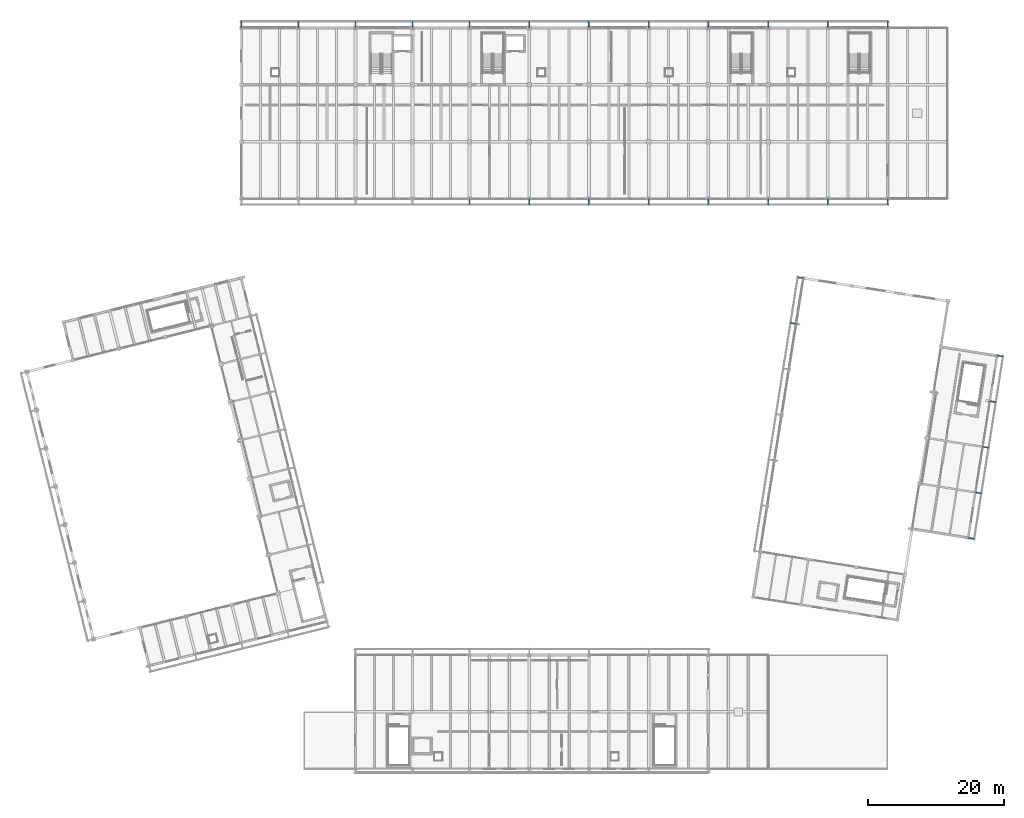
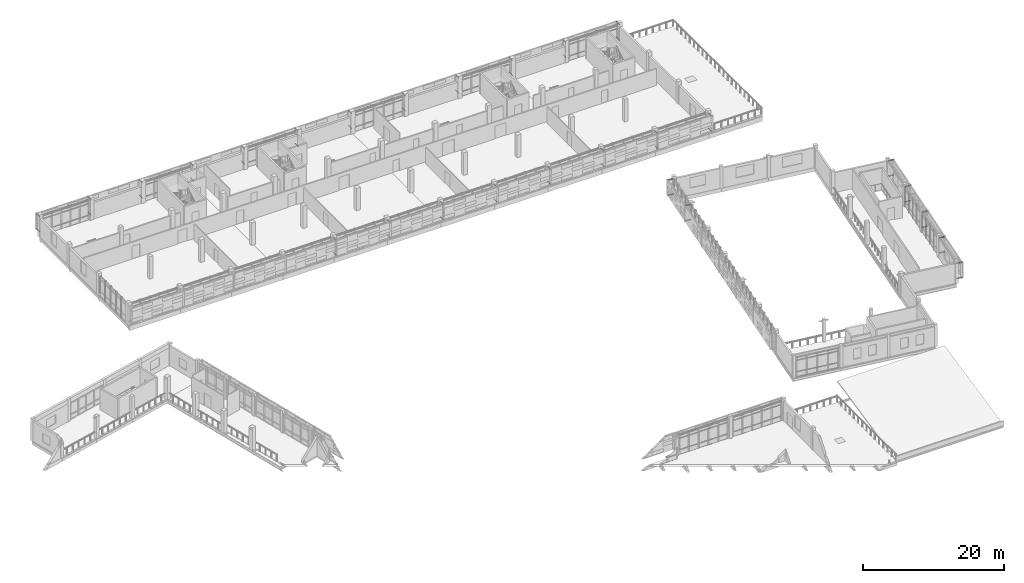
# One storey, part 81 of 117: 54 members.
"""IFC4 building model written with IfcOpenShell, lengths in metres."""

from ifc_helpers import new_model, si_unit, direction, frame, origin, origin_2d, place, context, subcontext, project, spatial, hollow_circle, extrude, material, material_profile, profile_set, type_object, element, save


model = new_model("IFC4")

# Units and contexts
model_context = context("Model", 3, precision=1e-05, world=origin(), true_north=direction((0.0, 1.0)))
body_context = subcontext(model_context, "Body", "Model", "MODEL_VIEW")
ifc_project = project(units=[si_unit("LENGTHUNIT", "METRE"), si_unit("AREAUNIT", "SQUARE_METRE"), si_unit("VOLUMEUNIT", "CUBIC_METRE"), si_unit("PLANEANGLEUNIT", "RADIAN"), si_unit("MASSUNIT", "GRAM", prefix="KILO")], contexts=[model_context])

# Site, building, storey
site_placement = place(None, origin())
site = spatial("IfcSite", under=ifc_project, at=site_placement, CompositionType="ELEMENT")
building_placement = place(site_placement, origin())
building = spatial("IfcBuilding", under=site, at=building_placement, Name="Cinderway Yard Community Centre", CompositionType="ELEMENT")
storey_placement = place(building_placement, frame((0.0, 0.0, 9.0)))
storey = spatial("IfcBuildingStorey", under=building, at=storey_placement, Name="L02", CompositionType="ELEMENT", Elevation=9.0)

# Members
ifc_material = material(Name="Steel S355", Category="steel")
ifc_material_profile = material_profile(ifc_material, hollow_circle(Radius=0.06982421875, WallThickness=0.00634765625, at=origin_2d()), Name="Steel S355")
ifc_profile_set = profile_set([ifc_material_profile], Name="Steel S355")
member_type = type_object("IfcMemberType", Name="STR-MEM-STRUT-CHS140", PredefinedType="STRUT", material=ifc_profile_set)
for number, where, z_axis, x_axis, name in (
    (1, (41.60009765625, 115.199951171875, 0.7099609375), (0.0, 1.0, 0.0), (-1.0, 0.0, 0.0), "Screen outrigger strut 0053"),
    (2, (41.60009765625, 115.199951171875, 3.340087890625), (0.0, 1.0, 0.0), (-1.0, 0.0, 0.0), "Screen outrigger strut 0054"),
    (3, (50.0, 115.199951171875, 0.7099609375), (0.0, 1.0, 0.0), (-1.0, 0.0, 0.0), "Screen outrigger strut 0057"),
    (4, (50.0, 115.199951171875, 3.340087890625), (0.0, 1.0, 0.0), (-1.0, 0.0, 0.0), "Screen outrigger strut 0058"),
    (5, (58.39990234375, 115.199951171875, 0.7099609375), (0.0, 1.0, 0.0), (-1.0, 0.0, 0.0), "Screen outrigger strut 0061"),
    (6, (58.39990234375, 115.199951171875, 3.340087890625), (0.0, 1.0, 0.0), (-1.0, 0.0, 0.0), "Screen outrigger strut 0062"),
    (7, (66.800048828125, 115.199951171875, 0.7099609375), (0.0, 1.0, 0.0), (-1.0, 0.0, 0.0), "Screen outrigger strut 0065"),
    (8, (66.800048828125, 115.199951171875, 3.340087890625), (0.0, 1.0, 0.0), (-1.0, 0.0, 0.0), "Screen outrigger strut 0066"),
    (9, (75.199951171875, 115.199951171875, 0.7099609375), (0.0, 1.0, 0.0), (-1.0, 0.0, 0.0), "Screen outrigger strut 0069"),
    (10, (75.199951171875, 115.199951171875, 3.340087890625), (0.0, 1.0, 0.0), (-1.0, 0.0, 0.0), "Screen outrigger strut 0070"),
    (11, (84.0, 115.199951171875, 0.7099609375), (0.0, 1.0, 0.0), (-1.0, 0.0, 0.0), "Screen outrigger strut 0073"),
    (12, (84.0, 115.199951171875, 3.340087890625), (0.0, 1.0, 0.0), (-1.0, 0.0, 0.0), "Screen outrigger strut 0074"),
    (13, (92.800048828125, 115.199951171875, 0.7099609375), (0.0, 1.0, 0.0), (-1.0, 0.0, 0.0), "Screen outrigger strut 0077"),
    (14, (92.800048828125, 115.199951171875, 3.340087890625), (0.0, 1.0, 0.0), (-1.0, 0.0, 0.0), "Screen outrigger strut 0078"),
    (15, (101.60009765625, 115.199951171875, 0.7099609375), (0.0, 1.0, 0.0), (-1.0, 0.0, 0.0), "Screen outrigger strut 0081"),
    (16, (101.60009765625, 115.199951171875, 3.340087890625), (0.0, 1.0, 0.0), (-1.0, 0.0, 0.0), "Screen outrigger strut 0082"),
    (17, (110.39990234375, 115.199951171875, 0.7099609375), (0.0, 1.0, 0.0), (-1.0, 0.0, 0.0), "Screen outrigger strut 0085"),
    (18, (110.39990234375, 115.199951171875, 3.340087890625), (0.0, 1.0, 0.0), (-1.0, 0.0, 0.0), "Screen outrigger strut 0086"),
    (19, (119.199951171875, 115.199951171875, 0.7099609375), (0.0, 1.0, 0.0), (-1.0, 0.0, 0.0), "Screen outrigger strut 0089"),
    (20, (119.199951171875, 115.199951171875, 3.340087890625), (0.0, 1.0, 0.0), (-1.0, 0.0, 0.0), "Screen outrigger strut 0090"),
    (21, (128.0, 115.199951171875, 0.7099609375), (0.0, 1.0, 0.0), (-1.0, 0.0, 0.0), "Screen outrigger strut 0093"),
    (22, (128.0, 115.199951171875, 3.340087890625), (0.0, 1.0, 0.0), (-1.0, 0.0, 0.0), "Screen outrigger strut 0094"),
    (23, (136.800048828125, 115.199951171875, 0.7099609375), (0.0, 1.0, 0.0), (-1.0, 0.0, 0.0), "Screen outrigger strut 0097"),
    (24, (136.800048828125, 115.199951171875, 3.340087890625), (0.0, 1.0, 0.0), (-1.0, 0.0, 0.0), "Screen outrigger strut 0098"),
):
    element("IfcMember", number, at=place(storey_placement, frame(where, z_axis=z_axis, x_axis=x_axis)), inside=storey, type_object=member_type, Name=name, PredefinedType="STRUT", context=body_context, shape_type="SweptSolid", body=[
        extrude(hollow_circle(Radius=0.06982421875, WallThickness=0.00634765625, at=origin_2d()), origin(), (0.0, 0.0, 1.0), 0.949951171875),
    ])
for number, where, z_axis, x_axis, name in (
    (25, (75.199951171875, 90.0, 0.7099609375), (0.0, -1.0, 0.0), (1.0, 0.0, 0.0), "Screen outrigger strut 0241"),
    (26, (75.199951171875, 90.0, 3.340087890625), (0.0, -1.0, 0.0), (1.0, 0.0, 0.0), "Screen outrigger strut 0242"),
    (27, (84.0, 90.0, 0.7099609375), (0.0, -1.0, 0.0), (1.0, 0.0, 0.0), "Screen outrigger strut 0245"),
    (28, (84.0, 90.0, 3.340087890625), (0.0, -1.0, 0.0), (1.0, 0.0, 0.0), "Screen outrigger strut 0246"),
    (29, (92.800048828125, 90.0, 0.7099609375), (0.0, -1.0, 0.0), (1.0, 0.0, 0.0), "Screen outrigger strut 0249"),
    (30, (92.800048828125, 90.0, 3.340087890625), (0.0, -1.0, 0.0), (1.0, 0.0, 0.0), "Screen outrigger strut 0250"),
    (31, (101.60009765625, 90.0, 0.7099609375), (0.0, -1.0, 0.0), (1.0, 0.0, 0.0), "Screen outrigger strut 0253"),
    (32, (101.60009765625, 90.0, 3.340087890625), (0.0, -1.0, 0.0), (1.0, 0.0, 0.0), "Screen outrigger strut 0254"),
    (33, (110.39990234375, 90.0, 0.7099609375), (0.0, -1.0, 0.0), (1.0, 0.0, 0.0), "Screen outrigger strut 0257"),
    (34, (110.39990234375, 90.0, 3.340087890625), (0.0, -1.0, 0.0), (1.0, 0.0, 0.0), "Screen outrigger strut 0258"),
    (35, (119.199951171875, 90.0, 0.7099609375), (0.0, -1.0, 0.0), (1.0, 0.0, 0.0), "Screen outrigger strut 0261"),
    (36, (119.199951171875, 90.0, 3.340087890625), (0.0, -1.0, 0.0), (1.0, 0.0, 0.0), "Screen outrigger strut 0262"),
    (37, (128.0, 90.0, 0.7099609375), (0.0, -1.0, 0.0), (1.0, 0.0, 0.0), "Screen outrigger strut 0265"),
    (38, (128.0, 90.0, 3.340087890625), (0.0, -1.0, 0.0), (1.0, 0.0, 0.0), "Screen outrigger strut 0266"),
    (39, (136.800048828125, 90.0, 0.7099609375), (0.0, -1.0, 0.0), (1.0, 0.0, 0.0), "Screen outrigger strut 0269"),
    (40, (136.800048828125, 90.0, 3.340087890625), (0.0, -1.0, 0.0), (1.0, 0.0, 0.0), "Screen outrigger strut 0270"),
):
    element("IfcMember", number, at=place(storey_placement, frame(where, z_axis=z_axis, x_axis=x_axis)), inside=storey, type_object=member_type, Name=name, PredefinedType="STRUT", context=body_context, shape_type="SweptSolid", body=[
        extrude(hollow_circle(Radius=0.06982421875, WallThickness=0.00634765625, at=origin_2d()), origin(), (0.0, 0.0, 1.0), 0.85009765625),
    ])
for number, where, z_axis, x_axis, name in (
    (41, (123.319091796875, 71.5810546875, 0.7099609375), (-0.987688378698, 0.156434224467, 0.0), (-0.156434224467, -0.987688378698, 0.0), "Screen outrigger strut 0645"),
    (42, (123.319091796875, 71.5810546875, 3.340087890625), (-0.987688378698, 0.156434224467, 0.0), (-0.156434224467, -0.987688378698, 0.0), "Screen outrigger strut 0646"),
    (43, (124.383056640625, 78.298095703125, 0.7099609375), (-0.987732690315, 0.156154194575, 0.0), (-0.156154194575, -0.987732690315, 0.0), "Screen outrigger strut 0649"),
    (44, (124.383056640625, 78.298095703125, 3.340087890625), (-0.987732690315, 0.156154194575, 0.0), (-0.156154194575, -0.987732690315, 0.0), "Screen outrigger strut 0650"),
):
    element("IfcMember", number, at=place(storey_placement, frame(where, z_axis=z_axis, x_axis=x_axis)), inside=storey, type_object=member_type, Name=name, PredefinedType="STRUT", context=body_context, shape_type="SweptSolid", body=[
        extrude(hollow_circle(Radius=0.06982421875, WallThickness=0.00634765625, at=origin_2d()), origin(), (0.0, 0.0, 1.0), 0.8505859375),
    ])
for number, where, z_axis, x_axis, name in (
    (45, (148.694091796875, 40.02294921875, 0.7099609375), (0.987681351478, -0.156478586208, 0.0), (0.156478586208, 0.987681351478, 0.0), "Screen outrigger strut 0653"),
    (46, (148.694091796875, 40.02294921875, 3.340087890625), (0.987681351478, -0.156478586208, 0.0), (0.156478586208, 0.987681351478, 0.0), "Screen outrigger strut 0654"),
    (47, (149.758056640625, 46.739990234375, 0.7099609375), (0.987681351478, -0.156478586208, 0.0), (0.156478586208, 0.987681351478, 0.0), "Screen outrigger strut 0657"),
    (48, (149.758056640625, 46.739990234375, 3.340087890625), (0.987681351478, -0.156478586208, 0.0), (0.156478586208, 0.987681351478, 0.0), "Screen outrigger strut 0658"),
):
    element("IfcMember", number, at=place(storey_placement, frame(where, z_axis=z_axis, x_axis=x_axis)), inside=storey, type_object=member_type, Name=name, PredefinedType="STRUT", context=body_context, shape_type="SweptSolid", body=[
        extrude(hollow_circle(Radius=0.06982421875, WallThickness=0.00634765625, at=origin_2d()), origin(), (0.0, 0.0, 1.0), 0.850341796875),
    ])
for number, where, z_axis, x_axis, name in (
    (49, (150.822021484375, 53.4560546875, 0.7099609375), (0.987688378698, -0.156434224467, 0.0), (0.156434224467, 0.987688378698, 0.0), "Screen outrigger strut 0661"),
    (50, (150.822021484375, 53.4560546875, 3.340087890625), (0.987688378698, -0.156434224467, 0.0), (0.156434224467, 0.987688378698, 0.0), "Screen outrigger strut 0662"),
    (51, (151.885986328125, 60.172119140625, 0.7099609375), (0.987688378698, -0.156434224467, 0.0), (0.156434224467, 0.987688378698, 0.0), "Screen outrigger strut 0665"),
    (52, (151.885986328125, 60.172119140625, 3.340087890625), (0.987688378698, -0.156434224467, 0.0), (0.156434224467, 0.987688378698, 0.0), "Screen outrigger strut 0666"),
    (53, (152.948974609375, 66.887939453125, 0.7099609375), (0.987688378698, -0.156434224467, 0.0), (0.156434224467, 0.987688378698, 0.0), "Screen outrigger strut 0669"),
    (54, (152.948974609375, 66.887939453125, 3.340087890625), (0.987688378698, -0.156434224467, 0.0), (0.156434224467, 0.987688378698, 0.0), "Screen outrigger strut 0670"),
):
    element("IfcMember", number, at=place(storey_placement, frame(where, z_axis=z_axis, x_axis=x_axis)), inside=storey, type_object=member_type, Name=name, PredefinedType="STRUT", context=body_context, shape_type="SweptSolid", body=[
        extrude(hollow_circle(Radius=0.06982421875, WallThickness=0.00634765625, at=origin_2d()), origin(), (0.0, 0.0, 1.0), 0.8505859375),
    ])

save(model, "model.ifc")
